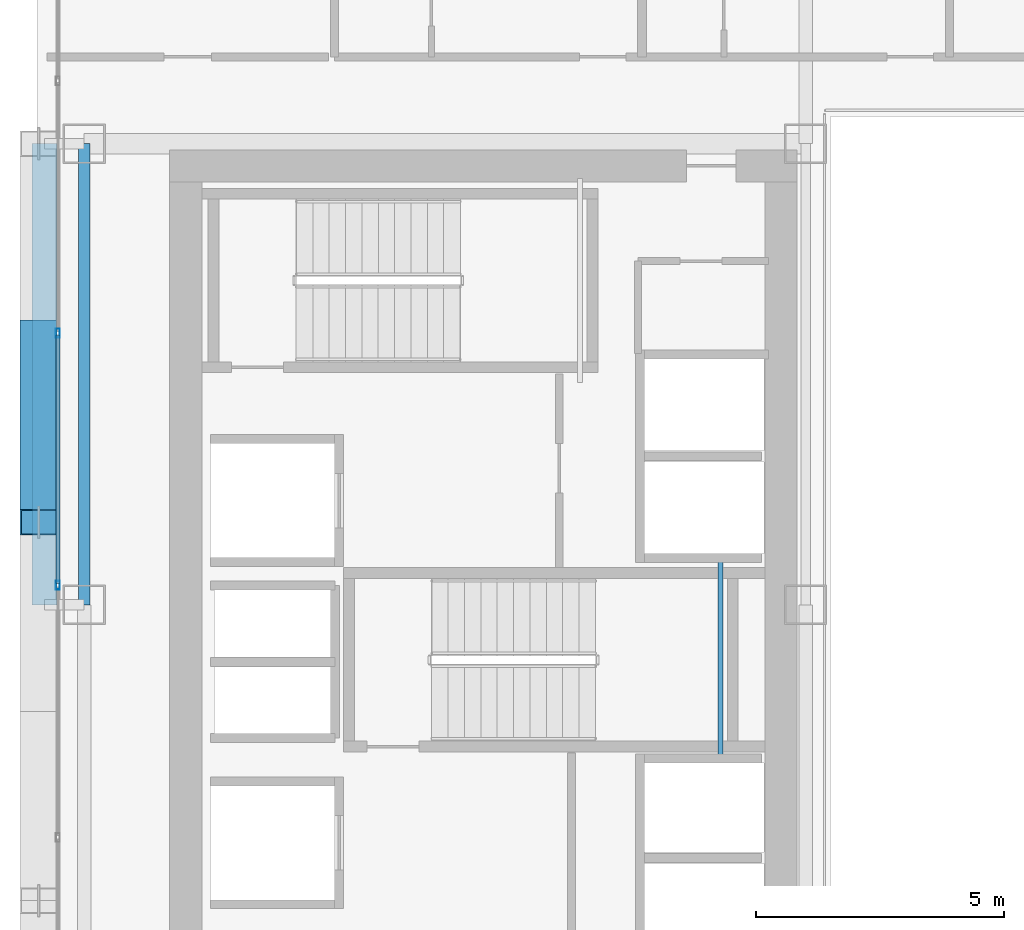
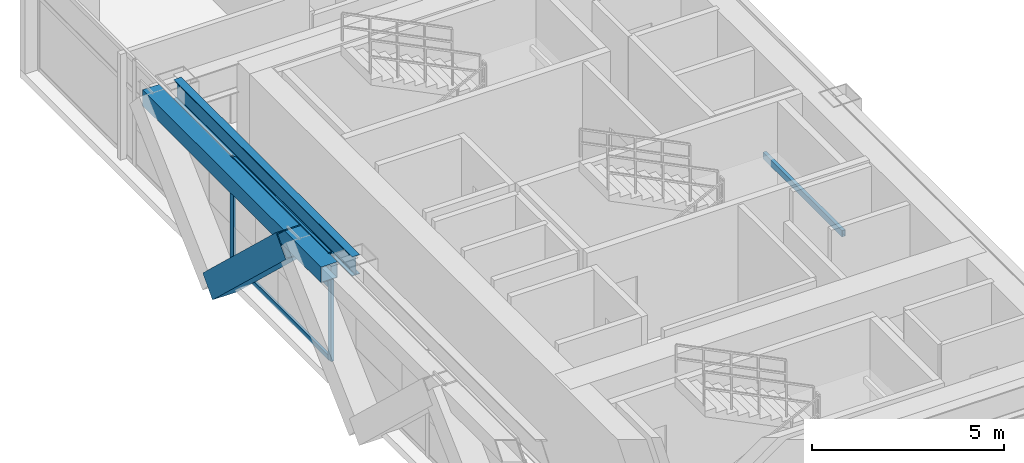
# One storey, part 8 of 35: 6 members, 3 beams, 1 element without a shape of its own.
"""IFC4 building model written with IfcOpenShell, lengths in metres."""

import ifcopenshell
import ifcopenshell.guid

model = None  # the IFC model being written
_history = None  # IfcOwnerHistory: only IFC2X3 demands one
_inside = {}  # id of a spatial element -> (the spatial element, [elements in it])
_under = {}  # id of a project, library or spatial element -> (it, [spatial elements below it])
_declared = {}  # id of a project -> (the project, [libraries it declares])
_typed = {}  # id of a type object -> (the type object, [elements of that type])
_made_of = {}  # id of a material, layer set ... -> (it, [elements and type objects made of it])


def new_model(schema):
    """Start an empty IFC model of exactly this schema.

    Asked for "IFC4X3", IfcOpenShell would pick the latest addendum, in which some entities
    have other attributes; the version numbers below select the first issue.
    IFC2X3 requires an IfcOwnerHistory on every rooted entity: one is made here for all.
    """
    global model, _history
    if schema == "IFC4X3":
        model = ifcopenshell.file(schema_version=(4, 3, 0, 0))
    else:
        model = ifcopenshell.file(schema=schema)
    _inside.clear()
    _under.clear()
    _declared.clear()
    _typed.clear()
    _made_of.clear()
    _history = None
    if model.schema == "IFC2X3":
        org = make("IfcOrganization", Name="unknown")
        user = make(
            "IfcPersonAndOrganization",
            ThePerson=make("IfcPerson", FamilyName="unknown"),
            TheOrganization=org,
        )
        app = make(
            "IfcApplication",
            ApplicationDeveloper=org,
            Version="unknown",
            ApplicationFullName="unknown",
            ApplicationIdentifier="unknown",
        )
        _history = make(
            "IfcOwnerHistory",
            OwningUser=user,
            OwningApplication=app,
            ChangeAction="ADDED",
            CreationDate=0,
        )
    return model


def make(cls, **values):
    """One entity of the class cls with the attributes given. An attribute that is None is left unset."""
    return model.create_entity(
        cls, **{name: value for name, value in values.items() if value is not None}
    )


def rooted(cls, **values):
    """An entity with a GlobalId (a new one), such as an element, a storey or a relation."""
    return make(cls, GlobalId=ifcopenshell.guid.new(), OwnerHistory=_history, **values)


def si_unit(unit_type, name, prefix=None):
    """IfcSIUnit, for example si_unit("LENGTHUNIT", "METRE", prefix="MILLI")."""
    return make("IfcSIUnit", UnitType=unit_type, Prefix=prefix, Name=name)


def assignment(units):
    """IfcUnitAssignment: the units of a project."""
    return None if units is None else make("IfcUnitAssignment", Units=units)


def point(xyz):
    """IfcCartesianPoint."""
    return None if xyz is None else make("IfcCartesianPoint", Coordinates=xyz)


def direction(xyz):
    """IfcDirection."""
    return None if xyz is None else make("IfcDirection", DirectionRatios=xyz)


def frame(location, z_axis=None, x_axis=None):
    """IfcAxis2Placement3D, a coordinate frame: its origin and axes. An axis left out is left unset."""
    return make(
        "IfcAxis2Placement3D",
        Location=point(location),
        Axis=direction(z_axis),
        RefDirection=direction(x_axis),
    )


def frame_2d(location, x_axis=None):
    """IfcAxis2Placement2D, a coordinate frame in the plane: its origin and x axis."""
    return make(
        "IfcAxis2Placement2D", Location=point(location), RefDirection=direction(x_axis)
    )


def origin():
    """The frame at (0, 0, 0) with its axes left unset."""
    return frame((0.0, 0.0, 0.0))


def origin_2d():
    """The frame at (0, 0) in the plane with its x axis left unset."""
    return frame_2d((0.0, 0.0))


def place(relative_to, where):
    """IfcLocalPlacement: puts the frame where relative to a parent placement (None: the world)."""
    return make(
        "IfcLocalPlacement", PlacementRelTo=relative_to, RelativePlacement=where
    )


def context(
    kind, dimensions, precision=None, world=None, true_north=None, identifier=None
):
    """IfcGeometricRepresentationContext, for example the 3D "Model" context."""
    return make(
        "IfcGeometricRepresentationContext",
        ContextIdentifier=identifier,
        ContextType=kind,
        CoordinateSpaceDimension=dimensions,
        Precision=precision,
        WorldCoordinateSystem=world,
        TrueNorth=true_north,
    )


def subcontext(parent, identifier, kind, view, scale=None):
    """IfcGeometricRepresentationSubContext, for example "Body" below "Model"."""
    return make(
        "IfcGeometricRepresentationSubContext",
        ContextIdentifier=identifier,
        ContextType=kind,
        ParentContext=parent,
        TargetScale=scale,
        TargetView=view,
    )


def project(units=None, contexts=None):
    """IfcProject with its units and contexts."""
    return rooted(
        "IfcProject",
        Name="project",
        RepresentationContexts=contexts,
        UnitsInContext=assignment(units),
    )


def spatial(cls, under=None, at=None, **own):
    """A site, building, storey or space (cls), placed at a placement, below another one or the project."""
    s = rooted(cls, ObjectPlacement=at, **own)
    if under is not None:
        _under.setdefault(under.id(), (under, []))[1].append(s)
    return s


def profile(cls, at=None, kind="AREA", **sizes):
    """A parametric profile (cls). Its sizes go by their IFC names, for example OverallWidth=200.0."""
    return make(cls, ProfileType=kind, Position=at, **sizes)


def hollow_rectangle(**sizes):
    """IfcRectangleHollowProfileDef."""
    return profile("IfcRectangleHollowProfileDef", **sizes)


def i_section(**sizes):
    """IfcIShapeProfileDef."""
    return profile("IfcIShapeProfileDef", **sizes)


def extrude(swept, where, along, depth):
    """IfcExtrudedAreaSolid: the profile swept, set in the frame where, extruded along a direction by depth."""
    return make(
        "IfcExtrudedAreaSolid",
        SweptArea=swept,
        Position=where,
        ExtrudedDirection=direction(along),
        Depth=depth,
    )


def shape(context_of_items, identifier, shape_type, items):
    """IfcShapeRepresentation: the items that make up one representation, for example the "Body"."""
    return make(
        "IfcShapeRepresentation",
        ContextOfItems=context_of_items,
        RepresentationIdentifier=identifier,
        RepresentationType=shape_type,
        Items=items,
    )


def source(mapping_origin, context_of_items, identifier, shape_type, items):
    """IfcRepresentationMap: a shape defined once, which mapped items show again and again."""
    return make(
        "IfcRepresentationMap",
        MappingOrigin=mapping_origin,
        MappedRepresentation=shape(context_of_items, identifier, shape_type, items),
    )


def transform(
    local_origin,
    x_axis=None,
    y_axis=None,
    z_axis=None,
    scale=None,
    scale2=None,
    scale3=None,
    uniform=True,
):
    """IfcCartesianTransformationOperator3D, or its non-uniform kind. x_axis, y_axis, z_axis: its Axis1, 2, 3."""
    if uniform:
        return make(
            "IfcCartesianTransformationOperator3D",
            Axis1=direction(x_axis),
            Axis2=direction(y_axis),
            LocalOrigin=point(local_origin),
            Scale=scale,
            Axis3=direction(z_axis),
        )
    return make(
        "IfcCartesianTransformationOperator3DnonUniform",
        Axis1=direction(x_axis),
        Axis2=direction(y_axis),
        LocalOrigin=point(local_origin),
        Scale=scale,
        Axis3=direction(z_axis),
        Scale2=scale2,
        Scale3=scale3,
    )


def mapped(mapping_source, mapping_target):
    """IfcMappedItem: shows the shape of a source again, moved by a transform."""
    return make(
        "IfcMappedItem", MappingSource=mapping_source, MappingTarget=mapping_target
    )


def material(Name=None, Category=None):
    """IfcMaterial."""
    return make("IfcMaterial", Name=Name, Category=Category)


def layer(
    of_material, thickness, ventilated=None, Name=None, Category=None, Priority=None
):
    """IfcMaterialLayer: one layer of a wall or slab, of a material (None: an air gap)."""
    return make(
        "IfcMaterialLayer",
        Material=of_material,
        LayerThickness=thickness,
        IsVentilated=ventilated,
        Name=Name,
        Category=Category,
        Priority=Priority,
    )


def layer_set(layers, Name=None):
    """IfcMaterialLayerSet."""
    return make("IfcMaterialLayerSet", MaterialLayers=layers, LayerSetName=Name)


def material_profile(
    of_material, cross_section, Name=None, Category=None, Priority=None
):
    """IfcMaterialProfile: a cross section and its material."""
    return make(
        "IfcMaterialProfile",
        Name=Name,
        Material=of_material,
        Profile=cross_section,
        Priority=Priority,
        Category=Category,
    )


def profile_set(profiles, Name=None, composite=None):
    """IfcMaterialProfileSet."""
    return make(
        "IfcMaterialProfileSet",
        Name=Name,
        MaterialProfiles=profiles,
        CompositeProfile=composite,
    )


def made_of(thing, what):
    """Note that an element or type object is made of a material, layer set ...; save() writes the relation."""
    if what is not None:
        _made_of.setdefault(what.id(), (what, []))[1].append(thing)
    return thing


def type_object(cls, material=None, **own):
    """A type object (cls), such as IfcWallType, which elements share."""
    return made_of(rooted(cls, **own), material)


def element(
    cls,
    number,
    at=None,
    inside=None,
    cuts=None,
    type_object=None,
    material=None,
    context=None,
    identifier="Body",
    shape_type=None,
    held_by="IfcProductDefinitionShape",
    body=None,
    shapes=None,
    **own,
):
    """One element of the class cls, such as IfcWall. Its Tag is "e" and its number.

    at: its placement. inside: the storey or other place that contains it. cuts: it is an
    opening in that element (IfcRelVoidsElement). A single representation is given by context,
    identifier, shape_type and body (its items); several are given by shapes. held_by: the class
    of the entity that holds the representations. save() writes the other relations.
    """
    e = rooted(cls, Tag="e%d" % number, ObjectPlacement=at, **own)
    if body is not None:
        shapes = [shape(context, identifier, shape_type, body)]
    if shapes is not None:
        e.Representation = make(held_by, Representations=shapes)
    if inside is not None:
        _inside.setdefault(inside.id(), (inside, []))[1].append(e)
    if cuts is not None:
        rooted(
            "IfcRelVoidsElement", RelatingBuildingElement=cuts, RelatedOpeningElement=e
        )
    if type_object is not None:
        _typed.setdefault(type_object.id(), (type_object, []))[1].append(e)
    return made_of(e, material)


def aggregate(whole, parts):
    """IfcRelAggregates: a whole, such as a stair, and the parts it consists of."""
    return rooted("IfcRelAggregates", RelatingObject=whole, RelatedObjects=parts)


def save(model, path):
    """Write the relations noted so far, then the file.

    IfcRelAggregates (storeys below a building ...), IfcRelContainedInSpatialStructure (elements
    in a storey), IfcRelDefinesByType, IfcRelAssociatesMaterial and IfcRelDeclares: one each for
    every whole, place, type object, material and project.
    """
    for whole, parts in _under.values():
        aggregate(whole, parts)
    for where, things in _inside.values():
        rooted(
            "IfcRelContainedInSpatialStructure",
            RelatedElements=things,
            RelatingStructure=where,
        )
    for kind, things in _typed.values():
        rooted("IfcRelDefinesByType", RelatedObjects=things, RelatingType=kind)
    for what, things in _made_of.values():
        rooted("IfcRelAssociatesMaterial", RelatedObjects=things, RelatingMaterial=what)
    for by, libraries in _declared.values():
        rooted("IfcRelDeclares", RelatingContext=by, RelatedDefinitions=libraries)
    model.write(path)


model = new_model("IFC4")

# Units and contexts
model_context = context("Model", 3, precision=1e-05, world=origin(), true_north=direction((0.0, 1.0)))
body_context = subcontext(model_context, "Body", "Model", "MODEL_VIEW")
ifc_project = project(units=[si_unit("LENGTHUNIT", "METRE"), si_unit("AREAUNIT", "SQUARE_METRE"), si_unit("VOLUMEUNIT", "CUBIC_METRE"), si_unit("PLANEANGLEUNIT", "RADIAN"), si_unit("MASSUNIT", "GRAM", prefix="KILO")], contexts=[model_context])

# Site, building, storey
site_placement = place(None, origin())
site = spatial("IfcSite", under=ifc_project, at=site_placement, CompositionType="ELEMENT")
building_placement = place(site_placement, origin())
building = spatial("IfcBuilding", under=site, at=building_placement, Name="Ocotamira Hotel", CompositionType="ELEMENT")
storey_placement = place(building_placement, frame((0.0, 0.0, 122.39990234375)))
storey = spatial("IfcBuildingStorey", under=building, at=storey_placement, Name="L30", CompositionType="ELEMENT", Elevation=122.39990234375)

# Beams
ifc_material_1 = material(Name="Steel ASTM A500 Grade C", Category="steel")
ifc_material_profile_1 = material_profile(ifc_material_1, hollow_rectangle(XDim=0.10009765625, YDim=0.199951171875, WallThickness=0.008056640625, at=origin_2d()), Name="HSS200X100X8")
ifc_profile_set_1 = profile_set([ifc_material_profile_1], Name="Steel ASTM A500 Grade C")
beam_type_1 = type_object("IfcBeamType", Name="BM-STLDG-HSS200", PredefinedType="BEAM", material=ifc_profile_set_1)
shared_shape_1 = source(origin(), body_context, "Body", "SweptSolid", [
    extrude(hollow_rectangle(XDim=0.10009765625, YDim=0.199951171875, WallThickness=0.008056640625, at=origin_2d()), origin(), (0.0, 0.0, 1.0), 4.1201171875),
])
beam_1_placement = place(storey_placement, frame((21.780029296875, 24.97998046875, 1.5), z_axis=(0.0, 1.0, 0.0), x_axis=(-1.0, 0.0, 0.0)))
element("IfcBeam", 1, at=beam_1_placement, inside=storey, type_object=beam_type_1, Name="L30 Stair ST-3 Landing Bearer 1", PredefinedType="BEAM", context=body_context, shape_type="MappedRepresentation", body=[
    mapped(shared_shape_1, transform((0.0, 0.0, 0.0), scale=1.0)),
])
ifc_material_2 = material(Name="Steel ASTM A992 Grade 50", Category="steel")
ifc_material_profile_2 = material_profile(ifc_material_2, i_section(OverallWidth=0.22998046875, OverallDepth=0.616943359375, WebThickness=0.01318359375, FlangeThickness=0.022216796875, FilletRadius=0.012939453125, at=origin_2d()), Name="W24X94")
ifc_profile_set_2 = profile_set([ifc_material_profile_2], Name="Steel ASTM A992 Grade 50")
beam_type_2 = type_object("IfcBeamType", Name="BM-PRIM-W24X94", PredefinedType="BEAM", material=ifc_profile_set_2)
shared_shape_2 = source(origin(), body_context, "Body", "SweptSolid", [
    extrude(i_section(OverallWidth=0.22998046875, OverallDepth=0.616943359375, WebThickness=0.01318359375, FlangeThickness=0.022216796875, FilletRadius=0.012939453125, at=origin_2d()), origin(), (0.0, 0.0, 1.0), 9.300048828125),
])
beam_2_placement = place(storey_placement, frame((8.949951171875, 28.14990234375, 3.051513671875), z_axis=(0.0, 1.0, 0.0), x_axis=(-1.0, 0.0, 0.0)))
element("IfcBeam", 2, at=beam_2_placement, inside=storey, type_object=beam_type_2, Name="L30 Beam X8.95 Y28.15-37.45", PredefinedType="BEAM", context=body_context, shape_type="MappedRepresentation", body=[
    mapped(shared_shape_2, transform((0.0, 0.0, 0.0), scale=1.0)),
])
ifc_material_profile_3 = material_profile(ifc_material_1, hollow_rectangle(XDim=0.5, YDim=0.5, WallThickness=0.02001953125, at=origin_2d()), Name="HSS500X500X20")
ifc_profile_set_3 = profile_set([ifc_material_profile_3], Name="Steel ASTM A500 Grade C")
beam_type_3 = type_object("IfcBeamType", Name="BM-SPAN-HSS500", PredefinedType="USERDEFINED", material=ifc_profile_set_3)
shared_shape_3 = source(origin(), body_context, "Body", "SweptSolid", [
    extrude(hollow_rectangle(XDim=0.5, YDim=0.5, WallThickness=0.02001953125, at=origin_2d()), origin(), (0.0, 0.0, 1.0), 9.300048828125),
])
beam_3_placement = place(storey_placement, frame((8.14990234375, 28.14990234375, 3.110107421875), z_axis=(0.0, 1.0, 0.0), x_axis=(-1.0, 0.0, 0.0)))
element("IfcBeam", 3, at=beam_3_placement, inside=storey, type_object=beam_type_3, Name="L30 Edge Spandrel W Y28.15-37.45", ObjectType="SPANDREL", PredefinedType="USERDEFINED", context=body_context, shape_type="MappedRepresentation", body=[
    mapped(shared_shape_3, transform((0.0, 0.0, 0.0), scale=1.0)),
])

# Member
ifc_material_3 = material(Name="Pale-metal coated steel ASTM A913 Grade 65", Category="steel")
ifc_material_profile_4 = material_profile(ifc_material_3, hollow_rectangle(XDim=0.75, YDim=0.75, WallThickness=0.028076171875, at=origin_2d()), Name="BOX750X750X28")
ifc_profile_set_4 = profile_set([ifc_material_profile_4], Name="Pale-metal coated steel ASTM A913 Grade 65")
member_type_1 = type_object("IfcMemberType", Name="MEM-EXO-BOX750", PredefinedType="BRACE", material=ifc_profile_set_4)
shared_shape_4 = source(origin(), body_context, "Body", "SweptSolid", [
    extrude(hollow_rectangle(XDim=0.75, YDim=0.75, WallThickness=0.028076171875, at=origin_2d()), origin(), (0.0, 0.0, 1.0), 5.24658203125),
])
member_1_placement = place(storey_placement, frame((8.030029296875, 33.63330078125, -0.489990234375), z_axis=(0.0, -0.727442733726, 0.686168397078), x_axis=(1.0, 0.0, 0.0)))
element("IfcMember", 4, at=member_1_placement, inside=storey, type_object=member_type_1, Name="L30 Exoskeleton Diagrid W2.1", PredefinedType="BRACE", context=body_context, shape_type="MappedRepresentation", body=[
    mapped(shared_shape_4, transform((0.0, 0.0, 0.0), scale=1.0)),
])

# Curtain wall, members
ifc_material_4 = material(Name="Anodised pale-metal aluminium and solar glass", Category="aluminium")
ifc_layer = layer(ifc_material_4, 0.179931640625)
ifc_layer_set = layer_set([ifc_layer], Name="Anodised pale-metal aluminium and solar glass")
curtain_wall_type = type_object("IfcCurtainWallType", Name="CW-SYS3-Z2", PredefinedType="NOTDEFINED", material=ifc_layer_set)
curtain_wall_placement = place(storey_placement, origin())
curtain_wall = element("IfcCurtainWall", 5, at=curtain_wall_placement, inside=storey, type_object=curtain_wall_type, Name="L30 Curtain Wall CW-3 CW-L30-W", PredefinedType="NOTDEFINED")
ifc_material_5 = material(Name="Anodised pale-metal aluminium 6063-T6", Category="aluminium")
ifc_material_profile_5 = material_profile(ifc_material_5, hollow_rectangle(XDim=0.074951171875, YDim=0.14990234375, WallThickness=0.006103515625, at=origin_2d()), Name="HSS150X75X6")
ifc_profile_set_5 = profile_set([ifc_material_profile_5], Name="Anodised pale-metal aluminium 6063-T6")
member_type_2 = type_object("IfcMemberType", Name="CWT-150X75", PredefinedType="USERDEFINED", material=ifc_profile_set_5)
shared_shape_5 = source(origin(), body_context, "Body", "SweptSolid", [
    extrude(hollow_rectangle(XDim=0.074951171875, YDim=0.14990234375, WallThickness=0.006103515625, at=origin_2d()), origin(), (0.0, 0.0, 1.0), 5.005859375),
])
member_2_placement = place(storey_placement, frame((8.419921875, 28.582763671875, 0.03759765625), z_axis=(0.0, 1.0, 0.0), x_axis=(-1.0, 0.0, 0.0)))
member_2 = element("IfcMember", 6, at=member_2_placement, type_object=member_type_2, Name="CW-3 transom 5.1", ObjectType="TRANSOM", PredefinedType="USERDEFINED", context=body_context, shape_type="MappedRepresentation", body=[
    mapped(shared_shape_5, transform((0.0, 0.0, 0.0), scale=1.0)),
])
member_3_placement = place(storey_placement, frame((8.419921875, 28.582763671875, 2.35009765625), z_axis=(0.0, 1.0, 0.0), x_axis=(-1.0, 0.0, 0.0)))
member_3 = element("IfcMember", 7, at=member_3_placement, type_object=member_type_2, Name="CW-3 transom 5.2", ObjectType="TRANSOM", PredefinedType="USERDEFINED", context=body_context, shape_type="MappedRepresentation", body=[
    mapped(shared_shape_5, transform((0.0, 0.0, 0.0), scale=1.0)),
])
member_4_placement = place(storey_placement, frame((8.419921875, 28.582763671875, 3.322509765625), z_axis=(0.0, 1.0, 0.0), x_axis=(-1.0, 0.0, 0.0)))
member_4 = element("IfcMember", 8, at=member_4_placement, type_object=member_type_2, Name="CW-3 transom 5.3", ObjectType="TRANSOM", PredefinedType="USERDEFINED", context=body_context, shape_type="MappedRepresentation", body=[
    mapped(shared_shape_5, transform((0.0, 0.0, 0.0), scale=1.0)),
])
ifc_material_profile_6 = material_profile(ifc_material_5, hollow_rectangle(XDim=0.080078125, YDim=0.179931640625, WallThickness=0.006103515625, at=origin_2d()), Name="HSS180X80X6")
ifc_profile_set_6 = profile_set([ifc_material_profile_6], Name="Anodised pale-metal aluminium 6063-T6")
member_type_3 = type_object("IfcMemberType", Name="CWM-180X75", PredefinedType="MULLION", material=ifc_profile_set_6)
shared_shape_6 = source(origin(), body_context, "Body", "SweptSolid", [
    extrude(hollow_rectangle(XDim=0.080078125, YDim=0.179931640625, WallThickness=0.006103515625, at=origin_2d()), origin(), (0.0, 0.0, 1.0), 3.360107421875),
])
member_5_placement = place(storey_placement, frame((8.419921875, 28.54296875, 0.0), z_axis=(0.0, 0.0, 1.0), x_axis=(-1.0, 0.0, 0.0)))
member_5 = element("IfcMember", 9, at=member_5_placement, type_object=member_type_3, Name="CW-3 mullion 5", PredefinedType="MULLION", context=body_context, shape_type="MappedRepresentation", body=[
    mapped(shared_shape_6, transform((0.0, 0.0, 0.0), scale=1.0)),
])
member_6_placement = place(storey_placement, frame((8.419921875, 33.628662109375, 0.0), z_axis=(0.0, 0.0, 1.0), x_axis=(-1.0, 0.0, 0.0)))
member_6 = element("IfcMember", 10, at=member_6_placement, type_object=member_type_3, Name="CW-3 mullion 6", PredefinedType="MULLION", context=body_context, shape_type="MappedRepresentation", body=[
    mapped(shared_shape_6, transform((0.0, 0.0, 0.0), scale=1.0)),
])
aggregate(curtain_wall, [member_5, member_6, member_2, member_3, member_4])

save(model, "model.ifc")
